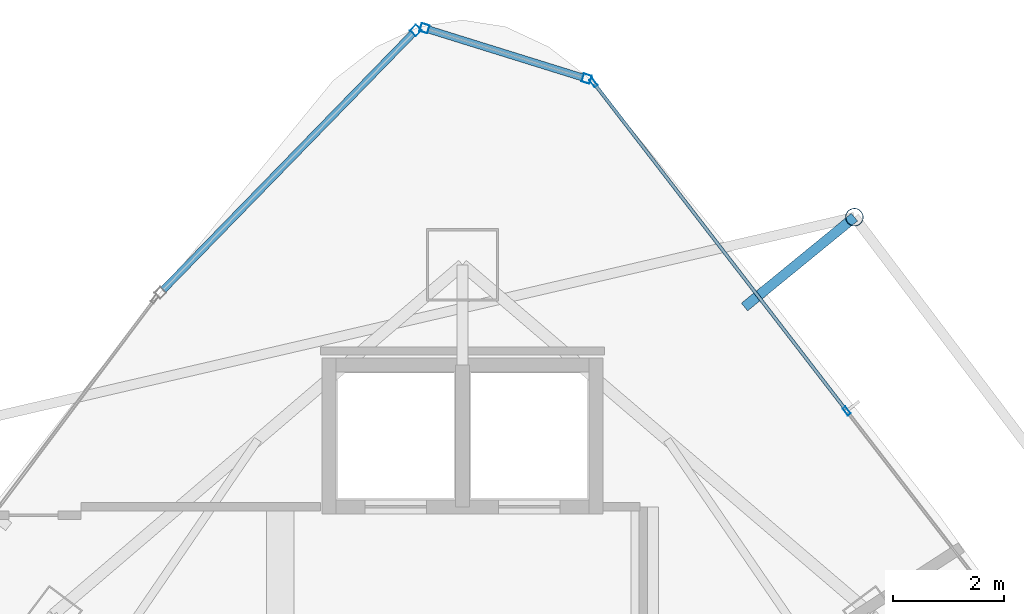
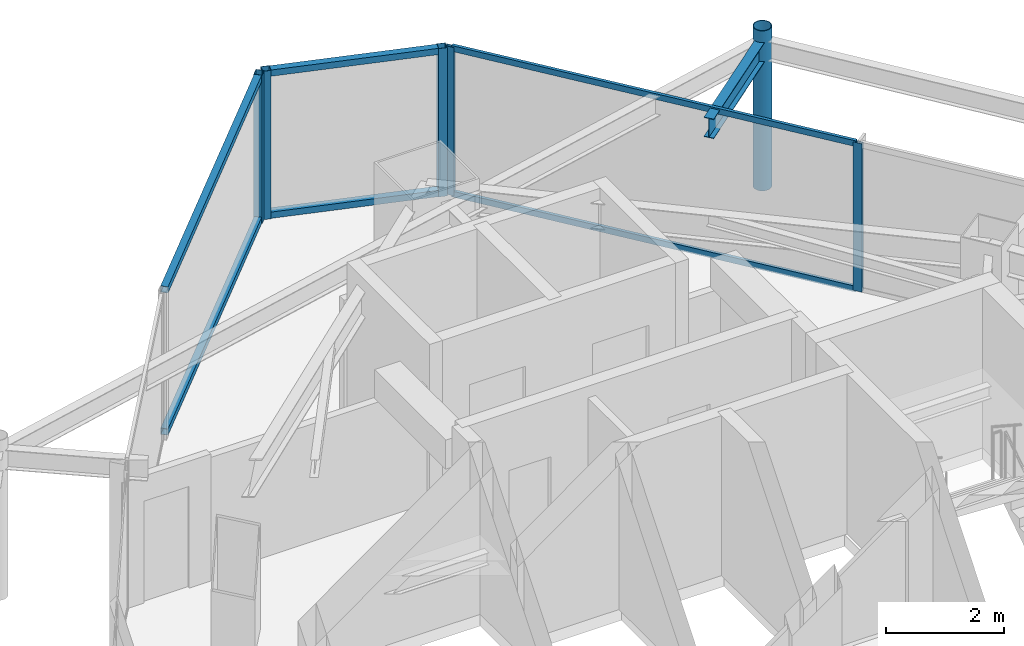
# One storey, part 23 of 30: 12 members, 1 beam, 3 elements without a shape of their own.
"""IFC4 building model written with IfcOpenShell, lengths in metres."""

from ifc_helpers import new_model, si_unit, direction, frame, origin, origin_2d, place, context, subcontext, project, spatial, hollow_rectangle, hollow_circle, i_section, extrude, material, layer, layer_set, material_profile, profile_set, type_object, element, aggregate, save


model = new_model("IFC4")

# Units and contexts
model_context = context("Model", 3, precision=1e-05, world=origin(), true_north=direction((0.0, 1.0)))
body_context = subcontext(model_context, "Body", "Model", "MODEL_VIEW")
ifc_project = project(units=[si_unit("LENGTHUNIT", "METRE"), si_unit("AREAUNIT", "SQUARE_METRE"), si_unit("VOLUMEUNIT", "CUBIC_METRE"), si_unit("PLANEANGLEUNIT", "RADIAN"), si_unit("MASSUNIT", "GRAM", prefix="KILO")], contexts=[model_context])

# Site, building, storey
site_placement = place(None, origin())
site = spatial("IfcSite", under=ifc_project, at=site_placement, CompositionType="ELEMENT")
building_placement = place(site_placement, origin())
building = spatial("IfcBuilding", under=site, at=building_placement, Name="Orvanel Arch Residences", CompositionType="ELEMENT")
storey_placement = place(building_placement, frame((0.0, 0.0, 229.39990234375)))
storey = spatial("IfcBuildingStorey", under=building, at=storey_placement, Name="L65", CompositionType="ELEMENT", Elevation=229.39990234375)

# Curtain wall, members
ifc_material_1 = material(Name="Bronze-anodised aluminium AA6063-T6", Category="aluminium")
ifc_layer_1 = layer(ifc_material_1, 0.18994140625)
ifc_layer_set_1 = layer_set([ifc_layer_1], Name="Bronze-anodised aluminium AA6063-T6")
curtain_wall_type_1 = type_object("IfcCurtainWallType", Name="CW5-CRN-SYS", PredefinedType="NOTDEFINED", material=ifc_layer_set_1)
curtain_wall_1_placement = place(storey_placement, origin())
curtain_wall_1 = element("IfcCurtainWall", 1, at=curtain_wall_1_placement, inside=storey, type_object=curtain_wall_type_1, Name="L65 CW5-CRN-SYS Unitised Curtain Wall", PredefinedType="NOTDEFINED")
ifc_material_profile_1 = material_profile(ifc_material_1, hollow_rectangle(XDim=0.14990234375, YDim=0.14990234375, WallThickness=0.0048828125, at=origin_2d()), Name="ALU150x150x5")
ifc_profile_set_1 = profile_set([ifc_material_profile_1], Name="Bronze-anodised aluminium AA6063-T6")
member_type_1 = type_object("IfcMemberType", Name="MUL-150x150", PredefinedType="MULLION", material=ifc_profile_set_1)
member_1_placement = place(storey_placement, frame((35.23046875, 44.7421875, 0.0), z_axis=(0.0, 0.0, 1.0), x_axis=(-0.297136187501, -0.954835109366, 0.0)))
member_1 = element("IfcMember", 2, at=member_1_placement, type_object=member_type_1, Name="CW-S5 mullion 1", PredefinedType="MULLION", context=body_context, shape_type="SweptSolid", body=[
    extrude(hollow_rectangle(XDim=0.14990234375, YDim=0.14990234375, WallThickness=0.0048828125, at=origin_2d()), origin(), (0.0, 0.0, 1.0), 3.06005859375),
])
member_2_placement = place(storey_placement, frame((32.317626953125, 45.648681640625, 0.0), z_axis=(0.0, 0.0, 1.0), x_axis=(-0.297136187501, -0.954835109366, 0.0)))
member_2 = element("IfcMember", 3, at=member_2_placement, type_object=member_type_1, Name="CW-S5 mullion 2", PredefinedType="MULLION", context=body_context, shape_type="SweptSolid", body=[
    extrude(hollow_rectangle(XDim=0.14990234375, YDim=0.14990234375, WallThickness=0.0048828125, at=origin_2d()), origin(), (0.0, 0.0, 1.0), 3.06005859375),
])

# Curtain wall, member
curtain_wall_2_placement = place(storey_placement, origin())
curtain_wall_2 = element("IfcCurtainWall", 4, at=curtain_wall_2_placement, inside=storey, type_object=curtain_wall_type_1, Name="L65 CW5-CRN-SYS Unitised Curtain Wall", PredefinedType="NOTDEFINED")
member_3_placement = place(storey_placement, frame((32.16064453125, 45.609375, 0.0), z_axis=(0.0, 0.0, 1.0), x_axis=(0.716477049978, -0.697610662802, 0.0)))
member_3 = element("IfcMember", 5, at=member_3_placement, type_object=member_type_1, Name="CW-S5 mullion 1", PredefinedType="MULLION", context=body_context, shape_type="SweptSolid", body=[
    extrude(hollow_rectangle(XDim=0.14990234375, YDim=0.14990234375, WallThickness=0.0048828125, at=origin_2d()), origin(), (0.0, 0.0, 1.0), 3.06005859375),
])

# Curtain wall, members
ifc_layer_2 = layer(ifc_material_1, 0.175048828125)
ifc_layer_set_2 = layer_set([ifc_layer_2], Name="Bronze-anodised aluminium AA6063-T6")
curtain_wall_type_2 = type_object("IfcCurtainWallType", Name="CW4-HI-SYS", PredefinedType="NOTDEFINED", material=ifc_layer_set_2)
curtain_wall_3_placement = place(storey_placement, origin())
curtain_wall_3 = element("IfcCurtainWall", 6, at=curtain_wall_3_placement, inside=storey, type_object=curtain_wall_type_2, Name="L65 CW4-HI-SYS Unitised Curtain Wall", PredefinedType="NOTDEFINED")
ifc_material_profile_2 = material_profile(ifc_material_1, hollow_rectangle(XDim=0.06494140625, YDim=0.159912109375, WallThickness=0.00390625, at=origin_2d()), Name="ALU160x65x4")
ifc_profile_set_2 = profile_set([ifc_material_profile_2], Name="Bronze-anodised aluminium AA6063-T6")
member_type_2 = type_object("IfcMemberType", Name="MUL-160x65", PredefinedType="MULLION", material=ifc_profile_set_2)
member_4_placement = place(storey_placement, frame((39.903564453125, 38.77197265625, 0.0), z_axis=(0.0, 0.0, 1.0), x_axis=(-0.791845950951, -0.610720877294, 0.0)))
member_4 = element("IfcMember", 7, at=member_4_placement, type_object=member_type_2, Name="CW-S4 mullion 2", PredefinedType="MULLION", context=body_context, shape_type="SweptSolid", body=[
    extrude(hollow_rectangle(XDim=0.06494140625, YDim=0.159912109375, WallThickness=0.00390625, at=origin_2d()), origin(), (0.0, 0.0, 1.0), 3.06005859375),
])
member_5_placement = place(storey_placement, frame((35.352783203125, 44.67236328125, 0.0), z_axis=(0.0, 0.0, 1.0), x_axis=(-0.791845950951, -0.610720877294, 0.0)))
member_5 = element("IfcMember", 8, at=member_5_placement, type_object=member_type_2, Name="CW-S4 mullion 3", PredefinedType="MULLION", context=body_context, shape_type="SweptSolid", body=[
    extrude(hollow_rectangle(XDim=0.06494140625, YDim=0.159912109375, WallThickness=0.00390625, at=origin_2d()), origin(), (0.0, 0.0, 1.0), 3.06005859375),
])

# Beam
ifc_material_2 = material(Name="Structural steel AS/NZS 3679.1 Grade 300 (300 MPa)", Category="steel")
ifc_material_profile_3 = material_profile(ifc_material_2, i_section(OverallWidth=0.177978515625, OverallDepth=0.406005859375, WebThickness=0.0078125, FlangeThickness=0.0126953125, at=origin_2d()), Name="410UB59.7")
ifc_profile_set_3 = profile_set([ifc_material_profile_3], Name="Structural steel AS/NZS 3679.1 Grade 300 (300 MPa)")
beam_type = type_object("IfcBeamType", Name="OB-410UB-EXT", PredefinedType="SPANDREL", material=ifc_profile_set_3)
beam_placement = place(storey_placement, frame((38.06689453125, 40.639892578125, 2.857177734375), z_axis=(0.774336704481, 0.632773789038, 0.0), x_axis=(-0.632773789038, 0.774336704481, 0.0)))
element("IfcBeam", 9, at=beam_placement, inside=storey, type_object=beam_type, Name="L65 Outer Frame Radial Tie Beam 12", PredefinedType="SPANDREL", context=body_context, shape_type="SweptSolid", body=[
    extrude(i_section(OverallWidth=0.177978515625, OverallDepth=0.406005859375, WebThickness=0.0078125, FlangeThickness=0.0126953125, at=origin_2d()), origin(), (0.0, 0.0, 1.0), 2.55078125),
])

# Member
ifc_material_3 = material(Name="Structural steel AS/NZS 1163 C350L0 (Grade 350)", Category="steel")
ifc_material_profile_4 = material_profile(ifc_material_3, hollow_circle(Radius=0.162109375, WallThickness=0.0126953125, at=origin_2d()), Name="CHS324x12.7")
ifc_profile_set_4 = profile_set([ifc_material_profile_4], Name="Structural steel AS/NZS 1163 C350L0 (Grade 350)")
member_type_3 = type_object("IfcMemberType", Name="ST-324CHS-EXT", PredefinedType="STRUT", material=ifc_profile_set_4)
member_6_placement = place(storey_placement, frame((40.0419921875, 42.25390625, 0.0), z_axis=(0.0, 0.0, 1.0), x_axis=(1.0, 0.0, 0.0)))
element("IfcMember", 10, at=member_6_placement, inside=storey, type_object=member_type_3, Name="L65 Outer Perimeter Frame Post 12", PredefinedType="STRUT", context=body_context, shape_type="SweptSolid", body=[
    extrude(hollow_circle(Radius=0.162109375, WallThickness=0.0126953125, at=origin_2d()), origin(), (0.0, 0.0, 1.0), 3.300048828125),
])

ifc_material_profile_5 = material_profile(ifc_material_1, hollow_rectangle(XDim=0.06005859375, YDim=0.1201171875, WallThickness=0.00341796875, at=origin_2d()), Name="ALU120x60x3.5")
ifc_profile_set_5 = profile_set([ifc_material_profile_5], Name="Bronze-anodised aluminium AA6063-T6")
member_type_4 = type_object("IfcMemberType", Name="TRN-120x60", PredefinedType="USERDEFINED", material=ifc_profile_set_5)
member_7_placement = place(storey_placement, frame((39.883544921875, 38.7978515625, 0.030029296875), z_axis=(-0.610713455714, 0.79185167488, 0.0), x_axis=(-0.79185167488, -0.610713455714, 0.0)))
member_7 = element("IfcMember", 11, at=member_7_placement, type_object=member_type_4, Name="CW-S4 transom 2.1", ObjectType="TRANSOM", PredefinedType="USERDEFINED", context=body_context, shape_type="SweptSolid", body=[
    extrude(hollow_rectangle(XDim=0.06005859375, YDim=0.1201171875, WallThickness=0.00341796875, at=origin_2d()), origin(), (0.0, 0.0, 1.0), 7.385986328125),
])

member_8_placement = place(storey_placement, frame((39.883544921875, 38.7978515625, 3.030029296875), z_axis=(-0.610713455714, 0.79185167488, 0.0), x_axis=(-0.79185167488, -0.610713455714, 0.0)))
member_8 = element("IfcMember", 12, at=member_8_placement, type_object=member_type_4, Name="CW-S4 transom 2.2", ObjectType="TRANSOM", PredefinedType="USERDEFINED", context=body_context, shape_type="SweptSolid", body=[
    extrude(hollow_rectangle(XDim=0.06005859375, YDim=0.1201171875, WallThickness=0.00341796875, at=origin_2d()), origin(), (0.0, 0.0, 1.0), 7.385986328125),
])

aggregate(curtain_wall_3, [member_4, member_5, member_7, member_8])

ifc_material_profile_6 = material_profile(ifc_material_1, hollow_rectangle(XDim=0.1298828125, YDim=0.1298828125, WallThickness=0.00439453125, at=origin_2d()), Name="ALU130x130x4.5")
ifc_profile_set_6 = profile_set([ifc_material_profile_6], Name="Bronze-anodised aluminium AA6063-T6")
member_type_5 = type_object("IfcMemberType", Name="TRN-130x130", PredefinedType="USERDEFINED", material=ifc_profile_set_6)
member_9_placement = place(storey_placement, frame((35.15869140625, 44.7646484375, 0.065185546875), z_axis=(-0.954838735165, 0.29712453589, 0.0), x_axis=(-0.29712453589, -0.954838735165, 0.0)))
member_9 = element("IfcMember", 13, at=member_9_placement, type_object=member_type_5, Name="CW-S5 transom 1.1", ObjectType="TRANSOM", PredefinedType="USERDEFINED", context=body_context, shape_type="SweptSolid", body=[
    extrude(hollow_rectangle(XDim=0.1298828125, YDim=0.1298828125, WallThickness=0.00439453125, at=origin_2d()), origin(), (0.0, 0.0, 1.0), 2.900634765625),
])

member_10_placement = place(storey_placement, frame((35.15869140625, 44.7646484375, 2.9951171875), z_axis=(-0.954838735165, 0.29712453589, 0.0), x_axis=(-0.29712453589, -0.954838735165, 0.0)))
member_10 = element("IfcMember", 14, at=member_10_placement, type_object=member_type_5, Name="CW-S5 transom 1.2", ObjectType="TRANSOM", PredefinedType="USERDEFINED", context=body_context, shape_type="SweptSolid", body=[
    extrude(hollow_rectangle(XDim=0.1298828125, YDim=0.1298828125, WallThickness=0.00439453125, at=origin_2d()), origin(), (0.0, 0.0, 1.0), 2.900634765625),
])

aggregate(curtain_wall_1, [member_1, member_2, member_9, member_10])

member_11_placement = place(storey_placement, frame((32.1083984375, 45.555419921875, 0.065185546875), z_axis=(-0.697630015612, -0.71645820626, 0.0), x_axis=(0.71645820626, -0.697630015612, 0.0)))
member_11 = element("IfcMember", 15, at=member_11_placement, type_object=member_type_5, Name="CW-S5 transom 1.1", ObjectType="TRANSOM", PredefinedType="USERDEFINED", context=body_context, shape_type="SweptSolid", body=[
    extrude(hollow_rectangle(XDim=0.1298828125, YDim=0.1298828125, WallThickness=0.00439453125, at=origin_2d()), origin(), (0.0, 0.0, 1.0), 6.431396484375),
])

member_12_placement = place(storey_placement, frame((32.1083984375, 45.555419921875, 2.9951171875), z_axis=(-0.697630015612, -0.71645820626, 0.0), x_axis=(0.71645820626, -0.697630015612, 0.0)))
member_12 = element("IfcMember", 16, at=member_12_placement, type_object=member_type_5, Name="CW-S5 transom 1.2", ObjectType="TRANSOM", PredefinedType="USERDEFINED", context=body_context, shape_type="SweptSolid", body=[
    extrude(hollow_rectangle(XDim=0.1298828125, YDim=0.1298828125, WallThickness=0.00439453125, at=origin_2d()), origin(), (0.0, 0.0, 1.0), 6.431396484375),
])

aggregate(curtain_wall_2, [member_3, member_11, member_12])

save(model, "model.ifc")
